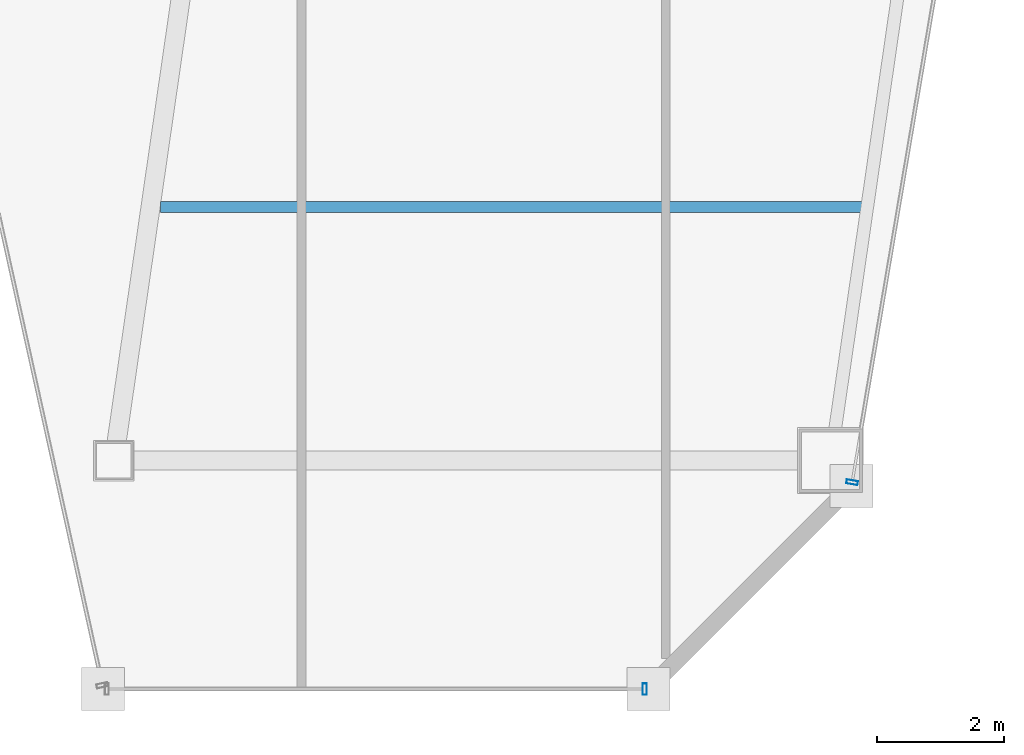
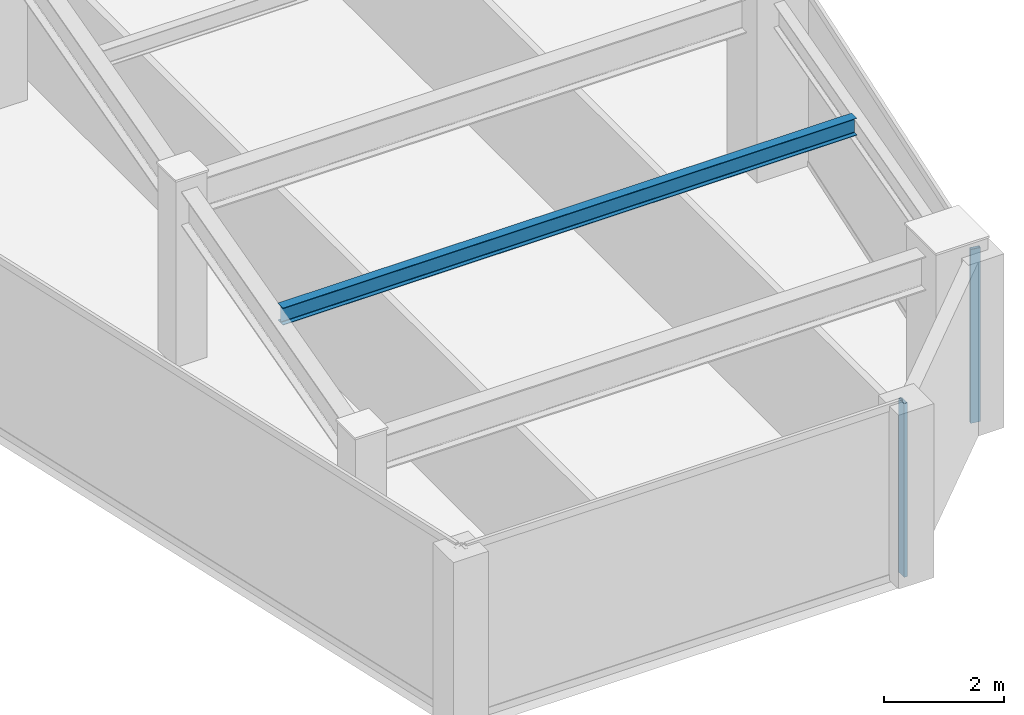
# One storey, part 17 of 35: 2 members, 1 beam, 2 elements without a shape of their own.
"""IFC4 building model written with IfcOpenShell, lengths in metres."""

from ifc_helpers import new_model, si_unit, direction, frame, origin, origin_2d, place, context, subcontext, project, spatial, hollow_rectangle, i_section, extrude, material, material_profile, profile_set, type_object, element, aggregate, save


model = new_model("IFC4")

# Units and contexts
model_context = context("Model", 3, precision=1e-05, world=origin(), true_north=direction((0.0, 1.0)))
body_context = subcontext(model_context, "Body", "Model", "MODEL_VIEW")
ifc_project = project(units=[si_unit("LENGTHUNIT", "METRE"), si_unit("AREAUNIT", "SQUARE_METRE"), si_unit("VOLUMEUNIT", "CUBIC_METRE"), si_unit("PLANEANGLEUNIT", "RADIAN"), si_unit("MASSUNIT", "GRAM", prefix="KILO")], contexts=[model_context])

# Site, building, storey
site_placement = place(None, origin())
site = spatial("IfcSite", under=ifc_project, at=site_placement, CompositionType="ELEMENT")
building_placement = place(site_placement, origin())
building = spatial("IfcBuilding", under=site, at=building_placement, Name="Saevonmaru Cultural Tower", CompositionType="ELEMENT")
storey_placement = place(building_placement, frame((0.0, 0.0, 179.0)))
storey = spatial("IfcBuildingStorey", under=building, at=storey_placement, Name="L40", CompositionType="ELEMENT", Elevation=179.0)

# Beam
ifc_material_1 = material(Name="Steel SM355", Category="steel")
ifc_material_profile_1 = material_profile(ifc_material_1, i_section(OverallWidth=0.175048828125, OverallDepth=0.35009765625, WebThickness=0.007080078125, FlangeThickness=0.010986328125, FilletRadius=0.012939453125, at=origin_2d()), Name="H-350x175x7x11")
ifc_profile_set_1 = profile_set([ifc_material_profile_1], Name="Steel SM355")
beam_type = type_object("IfcBeamType", Name="BM-J-H350", PredefinedType="JOIST", material=ifc_profile_set_1)
beam_placement = place(storey_placement, frame((38.80810546875, 20.0, 3.375), z_axis=(1.0, 0.0, 0.0), x_axis=(0.0, 1.0, 0.0)))
element("IfcBeam", 1, at=beam_placement, inside=storey, type_object=beam_type, Name="L40 East Wing Floor Joist 1", PredefinedType="JOIST", context=body_context, shape_type="SweptSolid", body=[
    extrude(i_section(OverallWidth=0.175048828125, OverallDepth=0.35009765625, WebThickness=0.007080078125, FlangeThickness=0.010986328125, FilletRadius=0.012939453125, at=origin_2d()), origin(), (0.0, 0.0, 1.0), 11.081787109375),
])

# Curtain wall, member
ifc_material_2 = material(Name="Satin Bronze Anodised Aluminium", Category="aluminium")
curtain_wall_type = type_object("IfcCurtainWallType", Name="CW-TYP-B", PredefinedType="NOTDEFINED", material=ifc_material_2)
curtain_wall_1_placement = place(storey_placement, origin())
curtain_wall_1 = element("IfcCurtainWall", 2, at=curtain_wall_1_placement, inside=storey, type_object=curtain_wall_type, Name="L40 Unitised Curtain Wall E6", PredefinedType="NOTDEFINED")
ifc_material_profile_2 = material_profile(ifc_material_2, hollow_rectangle(XDim=0.06494140625, YDim=0.179931640625, WallThickness=0.00390625, at=origin_2d()), Name="ALU-MULL-180x65x4")
ifc_profile_set_2 = profile_set([ifc_material_profile_2], Name="Satin Bronze Anodised Aluminium")
member_type = type_object("IfcMemberType", Name="ML-CW-180x65", PredefinedType="MULLION", material=ifc_profile_set_2)
member_1_placement = place(storey_placement, frame((46.442138671875, 12.39990234375, 0.0), z_axis=(0.0, 0.0, 1.0), x_axis=(1.0, 0.0, 0.0)))
member_1 = element("IfcMember", 3, at=member_1_placement, type_object=member_type, Name="CW-TW-L40-E6 mullion 2", PredefinedType="MULLION", context=body_context, shape_type="SweptSolid", body=[
    extrude(hollow_rectangle(XDim=0.06494140625, YDim=0.179931640625, WallThickness=0.00390625, at=origin_2d()), origin(), (0.0, 0.0, 1.0), 3.550048828125),
])
aggregate(curtain_wall_1, [member_1])

curtain_wall_2_placement = place(storey_placement, origin())
curtain_wall_2 = element("IfcCurtainWall", 4, at=curtain_wall_2_placement, inside=storey, type_object=curtain_wall_type, Name="L40 Unitised Curtain Wall E8", PredefinedType="NOTDEFINED")
member_2_placement = place(storey_placement, frame((49.712158203125, 15.6591796875, 0.0), z_axis=(0.0, 0.0, 1.0), x_axis=(0.16692169721, 0.985970155228, 0.0)))
member_2 = element("IfcMember", 5, at=member_2_placement, type_object=member_type, Name="CW-TW-L40-E8 mullion 1", PredefinedType="MULLION", context=body_context, shape_type="SweptSolid", body=[
    extrude(hollow_rectangle(XDim=0.06494140625, YDim=0.179931640625, WallThickness=0.00390625, at=origin_2d()), origin(), (0.0, 0.0, 1.0), 3.550048828125),
])
aggregate(curtain_wall_2, [member_2])

save(model, "model.ifc")
